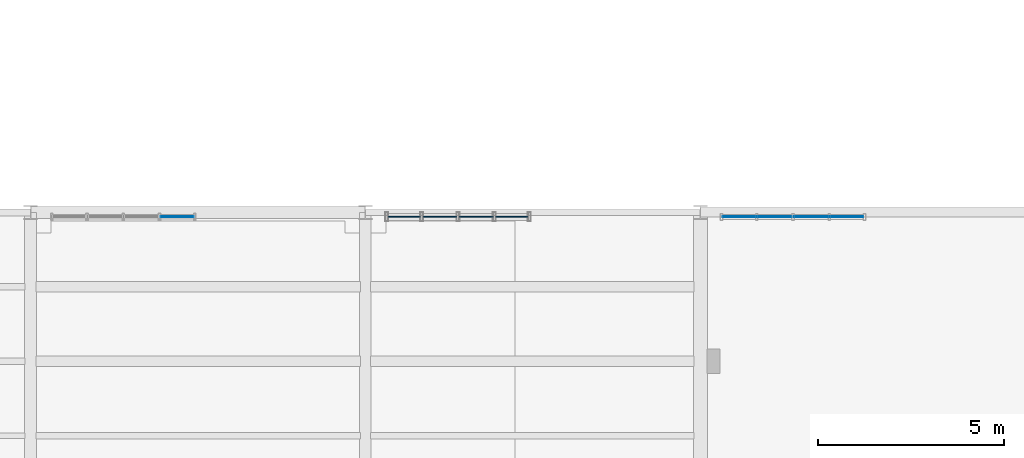
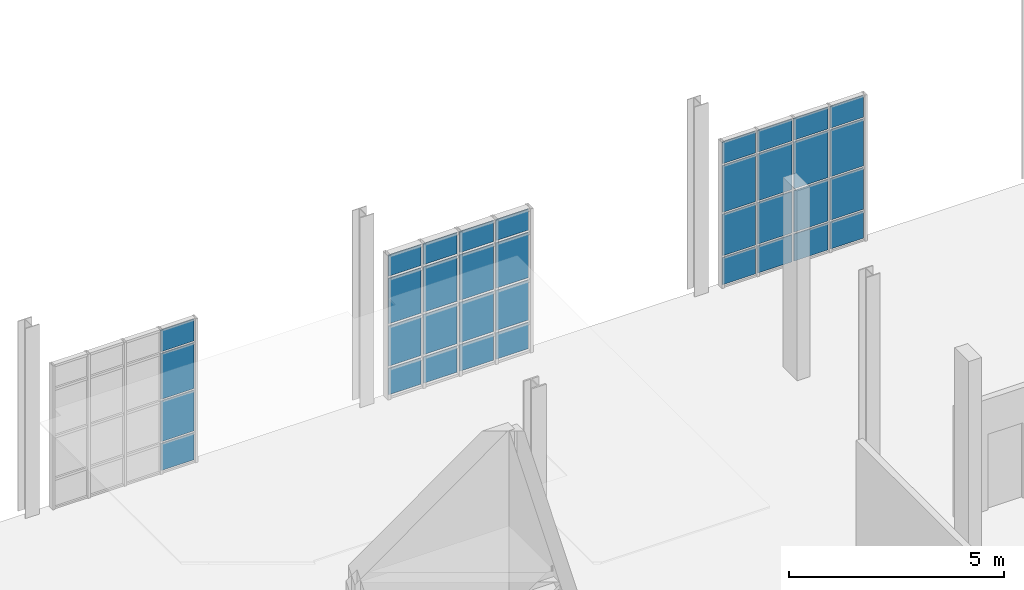
# One storey, part 164 of 189: 36 plates, 3 elements without a shape of their own.
"""IFC4 building model written with IfcOpenShell, lengths in metres."""

from ifc_helpers import new_model, si_unit, direction, frame, origin, origin_2d, place, context, subcontext, project, spatial, rectangle, extrude, material, layer, layer_set, type_object, element, aggregate, save


model = new_model("IFC4")

# Units and contexts
model_context = context("Model", 3, precision=1e-05, world=origin(), true_north=direction((0.0, 1.0)))
body_context = subcontext(model_context, "Body", "Model", "MODEL_VIEW")
ifc_project = project(units=[si_unit("LENGTHUNIT", "METRE"), si_unit("AREAUNIT", "SQUARE_METRE"), si_unit("VOLUMEUNIT", "CUBIC_METRE"), si_unit("PLANEANGLEUNIT", "RADIAN"), si_unit("MASSUNIT", "GRAM", prefix="KILO"), si_unit("THERMODYNAMICTEMPERATUREUNIT", "KELVIN"), si_unit("POWERUNIT", "WATT")], contexts=[model_context])

# Site, building, storey
site_placement = place(None, origin())
site = spatial("IfcSite", under=ifc_project, at=site_placement, CompositionType="ELEMENT")
building_placement = place(site_placement, origin())
building = spatial("IfcBuilding", under=site, at=building_placement, Name="Zelmaris Science Centre", CompositionType="ELEMENT")
storey_placement = place(building_placement, origin())
storey = spatial("IfcBuildingStorey", under=building, at=storey_placement, Name="L00", CompositionType="ELEMENT", Elevation=0.0)

# Curtain wall, plates
ifc_material_1 = material(Name="Anodised architectural aluminium 6063-T6", Category="aluminium")
ifc_layer_1 = layer(ifc_material_1, 0.18994140625, Name="Anodised architectural aluminium 6063-T6")
ifc_layer_set_1 = layer_set([ifc_layer_1], Name="Anodised architectural aluminium 6063-T6")
curtain_wall_type_1 = type_object("IfcCurtainWallType", Name="Curtain Wall CW-01", PredefinedType="USERDEFINED", material=ifc_layer_set_1)
curtain_wall_1_placement = place(storey_placement, origin())
curtain_wall_1 = element("IfcCurtainWall", 1, at=curtain_wall_1_placement, inside=storey, type_object=curtain_wall_type_1, Name="L00 Unitised curtain wall 97", ObjectType="GLAZED CURTAIN WALL", PredefinedType="USERDEFINED")
ifc_material_2 = material(Name="Laminated hurricane-rated low-E insulated glazing", Category="glass")
ifc_layer_2 = layer(ifc_material_2, 0.031982421875, Name="Laminated hurricane-rated low-E insulated glazing")
ifc_layer_set_2 = layer_set([ifc_layer_2], Name="Laminated hurricane-rated low-E insulated glazing")
plate_type_1 = type_object("IfcPlateType", Name="Curtain Glazing Panel CWP-1 32mm", PredefinedType="CURTAIN_PANEL", material=ifc_layer_set_2)
plate_1_placement = place(storey_placement, frame((136.04541015625, 55.88330078125, 0.05712890625), z_axis=(0.0, 0.0, 1.0), x_axis=(0.999999983892, -0.000179487181, 0.0)))
plate_1 = element("IfcPlate", 2, at=plate_1_placement, type_object=plate_type_1, Name="CW-01 panel 1.1", PredefinedType="CURTAIN_PANEL", context=body_context, shape_type="SweptSolid", body=[
    extrude(rectangle(XDim=0.866943359375, YDim=0.031982421875, at=origin_2d()), origin(), (0.0, 0.0, 1.0), 0.741943359375),
])
plate_2_placement = place(storey_placement, frame((136.04541015625, 55.88330078125, 0.87109375), z_axis=(0.0, 0.0, 1.0), x_axis=(0.999999983892, -0.000179487181, 0.0)))
plate_2 = element("IfcPlate", 3, at=plate_2_placement, type_object=plate_type_1, Name="CW-01 panel 1.2", PredefinedType="CURTAIN_PANEL", context=body_context, shape_type="SweptSolid", body=[
    extrude(rectangle(XDim=0.866943359375, YDim=0.031982421875, at=origin_2d()), origin(), (0.0, 0.0, 1.0), 1.132568359375),
])
plate_3_placement = place(storey_placement, frame((136.04541015625, 55.88330078125, 2.07568359375), z_axis=(0.0, 0.0, 1.0), x_axis=(0.999999983892, -0.000179487181, 0.0)))
plate_3 = element("IfcPlate", 4, at=plate_3_placement, type_object=plate_type_1, Name="CW-01 panel 1.3", PredefinedType="CURTAIN_PANEL", context=body_context, shape_type="SweptSolid", body=[
    extrude(rectangle(XDim=0.866943359375, YDim=0.031982421875, at=origin_2d()), origin(), (0.0, 0.0, 1.0), 1.282470703125),
])
plate_4_placement = place(storey_placement, frame((136.04541015625, 55.88330078125, 3.43017578125), z_axis=(0.0, 0.0, 1.0), x_axis=(0.999999983892, -0.000179487181, 0.0)))
plate_4 = element("IfcPlate", 5, at=plate_4_placement, type_object=plate_type_1, Name="CW-01 panel 1.4", PredefinedType="CURTAIN_PANEL", context=body_context, shape_type="SweptSolid", body=[
    extrude(rectangle(XDim=0.866943359375, YDim=0.031982421875, at=origin_2d()), origin(), (0.0, 0.0, 1.0), 0.592041015625),
])
plate_5_placement = place(storey_placement, frame((137.00244140625, 55.883056640625, 0.05712890625), z_axis=(0.0, 0.0, 1.0), x_axis=(0.999999983892, -0.000179487181, 0.0)))
plate_5 = element("IfcPlate", 6, at=plate_5_placement, type_object=plate_type_1, Name="CW-01 panel 2.1", PredefinedType="CURTAIN_PANEL", context=body_context, shape_type="SweptSolid", body=[
    extrude(rectangle(XDim=0.903076171875, YDim=0.031982421875, at=origin_2d()), origin(), (0.0, 0.0, 1.0), 0.741943359375),
])
plate_6_placement = place(storey_placement, frame((137.00244140625, 55.883056640625, 0.87109375), z_axis=(0.0, 0.0, 1.0), x_axis=(0.999999983892, -0.000179487181, 0.0)))
plate_6 = element("IfcPlate", 7, at=plate_6_placement, type_object=plate_type_1, Name="CW-01 panel 2.2", PredefinedType="CURTAIN_PANEL", context=body_context, shape_type="SweptSolid", body=[
    extrude(rectangle(XDim=0.903076171875, YDim=0.031982421875, at=origin_2d()), origin(), (0.0, 0.0, 1.0), 1.132568359375),
])
plate_7_placement = place(storey_placement, frame((137.00244140625, 55.883056640625, 2.07568359375), z_axis=(0.0, 0.0, 1.0), x_axis=(0.999999983892, -0.000179487181, 0.0)))
plate_7 = element("IfcPlate", 8, at=plate_7_placement, type_object=plate_type_1, Name="CW-01 panel 2.3", PredefinedType="CURTAIN_PANEL", context=body_context, shape_type="SweptSolid", body=[
    extrude(rectangle(XDim=0.903076171875, YDim=0.031982421875, at=origin_2d()), origin(), (0.0, 0.0, 1.0), 1.282470703125),
])
plate_8_placement = place(storey_placement, frame((137.00244140625, 55.883056640625, 3.43017578125), z_axis=(0.0, 0.0, 1.0), x_axis=(0.999999983892, -0.000179487181, 0.0)))
plate_8 = element("IfcPlate", 9, at=plate_8_placement, type_object=plate_type_1, Name="CW-01 panel 2.4", PredefinedType="CURTAIN_PANEL", context=body_context, shape_type="SweptSolid", body=[
    extrude(rectangle(XDim=0.903076171875, YDim=0.031982421875, at=origin_2d()), origin(), (0.0, 0.0, 1.0), 0.592041015625),
])
plate_9_placement = place(storey_placement, frame((137.9775390625, 55.8828125, 0.05712890625), z_axis=(0.0, 0.0, 1.0), x_axis=(0.999999983892, -0.000179487181, 0.0)))
plate_9 = element("IfcPlate", 10, at=plate_9_placement, type_object=plate_type_1, Name="CW-01 panel 3.1", PredefinedType="CURTAIN_PANEL", context=body_context, shape_type="SweptSolid", body=[
    extrude(rectangle(XDim=0.903076171875, YDim=0.031982421875, at=origin_2d()), origin(), (0.0, 0.0, 1.0), 0.741943359375),
])
plate_10_placement = place(storey_placement, frame((137.9775390625, 55.8828125, 0.87109375), z_axis=(0.0, 0.0, 1.0), x_axis=(0.999999983892, -0.000179487181, 0.0)))
plate_10 = element("IfcPlate", 11, at=plate_10_placement, type_object=plate_type_1, Name="CW-01 panel 3.2", PredefinedType="CURTAIN_PANEL", context=body_context, shape_type="SweptSolid", body=[
    extrude(rectangle(XDim=0.903076171875, YDim=0.031982421875, at=origin_2d()), origin(), (0.0, 0.0, 1.0), 1.132568359375),
])
plate_11_placement = place(storey_placement, frame((137.9775390625, 55.8828125, 2.07568359375), z_axis=(0.0, 0.0, 1.0), x_axis=(0.999999983892, -0.000179487181, 0.0)))
plate_11 = element("IfcPlate", 12, at=plate_11_placement, type_object=plate_type_1, Name="CW-01 panel 3.3", PredefinedType="CURTAIN_PANEL", context=body_context, shape_type="SweptSolid", body=[
    extrude(rectangle(XDim=0.903076171875, YDim=0.031982421875, at=origin_2d()), origin(), (0.0, 0.0, 1.0), 1.282470703125),
])
plate_12_placement = place(storey_placement, frame((137.9775390625, 55.8828125, 3.43017578125), z_axis=(0.0, 0.0, 1.0), x_axis=(0.999999983892, -0.000179487181, 0.0)))
plate_12 = element("IfcPlate", 13, at=plate_12_placement, type_object=plate_type_1, Name="CW-01 panel 3.4", PredefinedType="CURTAIN_PANEL", context=body_context, shape_type="SweptSolid", body=[
    extrude(rectangle(XDim=0.903076171875, YDim=0.031982421875, at=origin_2d()), origin(), (0.0, 0.0, 1.0), 0.592041015625),
])
plate_13_placement = place(storey_placement, frame((138.9345703125, 55.8828125, 0.05712890625), z_axis=(0.0, 0.0, 1.0), x_axis=(0.999999983892, -0.000179487181, 0.0)))
plate_13 = element("IfcPlate", 14, at=plate_13_placement, type_object=plate_type_1, Name="CW-01 panel 4.1", PredefinedType="CURTAIN_PANEL", context=body_context, shape_type="SweptSolid", body=[
    extrude(rectangle(XDim=0.866943359375, YDim=0.031982421875, at=origin_2d()), origin(), (0.0, 0.0, 1.0), 0.741943359375),
])
plate_14_placement = place(storey_placement, frame((138.9345703125, 55.8828125, 0.87109375), z_axis=(0.0, 0.0, 1.0), x_axis=(0.999999983892, -0.000179487181, 0.0)))
plate_14 = element("IfcPlate", 15, at=plate_14_placement, type_object=plate_type_1, Name="CW-01 panel 4.2", PredefinedType="CURTAIN_PANEL", context=body_context, shape_type="SweptSolid", body=[
    extrude(rectangle(XDim=0.866943359375, YDim=0.031982421875, at=origin_2d()), origin(), (0.0, 0.0, 1.0), 1.132568359375),
])
plate_15_placement = place(storey_placement, frame((138.9345703125, 55.8828125, 2.07568359375), z_axis=(0.0, 0.0, 1.0), x_axis=(0.999999983892, -0.000179487181, 0.0)))
plate_15 = element("IfcPlate", 16, at=plate_15_placement, type_object=plate_type_1, Name="CW-01 panel 4.3", PredefinedType="CURTAIN_PANEL", context=body_context, shape_type="SweptSolid", body=[
    extrude(rectangle(XDim=0.866943359375, YDim=0.031982421875, at=origin_2d()), origin(), (0.0, 0.0, 1.0), 1.282470703125),
])
plate_16_placement = place(storey_placement, frame((138.9345703125, 55.8828125, 3.43017578125), z_axis=(0.0, 0.0, 1.0), x_axis=(0.999999983892, -0.000179487181, 0.0)))
plate_16 = element("IfcPlate", 17, at=plate_16_placement, type_object=plate_type_1, Name="CW-01 panel 4.4", PredefinedType="CURTAIN_PANEL", context=body_context, shape_type="SweptSolid", body=[
    extrude(rectangle(XDim=0.866943359375, YDim=0.031982421875, at=origin_2d()), origin(), (0.0, 0.0, 1.0), 0.592041015625),
])
aggregate(curtain_wall_1, [plate_1, plate_2, plate_3, plate_4, plate_5, plate_6, plate_7, plate_8, plate_9, plate_10, plate_11, plate_12, plate_13, plate_14, plate_15, plate_16])

ifc_layer_3 = layer(ifc_material_1, 0.2099609375, Name="Anodised architectural aluminium 6063-T6")
ifc_layer_set_3 = layer_set([ifc_layer_3], Name="Anodised architectural aluminium 6063-T6")
curtain_wall_type_2 = type_object("IfcCurtainWallType", Name="Curtain Wall CW-03", PredefinedType="USERDEFINED", material=ifc_layer_set_3)
curtain_wall_2_placement = place(storey_placement, origin())
curtain_wall_2 = element("IfcCurtainWall", 18, at=curtain_wall_2_placement, inside=storey, type_object=curtain_wall_type_2, Name="L00 Unitised curtain wall 95", ObjectType="GLAZED CURTAIN WALL", PredefinedType="USERDEFINED")
ifc_layer_4 = layer(ifc_material_2, 0.02587890625, Name="Laminated hurricane-rated low-E insulated glazing")
ifc_layer_set_4 = layer_set([ifc_layer_4], Name="Laminated hurricane-rated low-E insulated glazing")
plate_type_2 = type_object("IfcPlateType", Name="Curtain Glazing Panel CWP-3 26mm", PredefinedType="CURTAIN_PANEL", material=ifc_layer_set_4)
plate_17_placement = place(storey_placement, frame((129.938232421875, 55.884521484375, 0.0419921875), z_axis=(0.0, 0.0, 1.0), x_axis=(0.999999978961, -0.000205128196, 0.0)))
plate_17 = element("IfcPlate", 19, at=plate_17_placement, type_object=plate_type_2, Name="CW-03 panel 4.1", PredefinedType="CURTAIN_PANEL", context=body_context, shape_type="SweptSolid", body=[
    extrude(rectangle(XDim=0.889404296875, YDim=0.02587890625, at=origin_2d()), origin(), (0.0, 0.0, 1.0), 0.764404296875),
])
plate_18_placement = place(storey_placement, frame((129.938232421875, 55.884521484375, 0.863525390625), z_axis=(0.0, 0.0, 1.0), x_axis=(0.999999978961, -0.000205128196, 0.0)))
plate_18 = element("IfcPlate", 20, at=plate_18_placement, type_object=plate_type_2, Name="CW-03 panel 4.2", PredefinedType="CURTAIN_PANEL", context=body_context, shape_type="SweptSolid", body=[
    extrude(rectangle(XDim=0.889404296875, YDim=0.02587890625, at=origin_2d()), origin(), (0.0, 0.0, 1.0), 1.1474609375),
])
plate_19_placement = place(storey_placement, frame((129.938232421875, 55.884521484375, 2.06787109375), z_axis=(0.0, 0.0, 1.0), x_axis=(0.999999978961, -0.000205128196, 0.0)))
plate_19 = element("IfcPlate", 21, at=plate_19_placement, type_object=plate_type_2, Name="CW-03 panel 4.3", PredefinedType="CURTAIN_PANEL", context=body_context, shape_type="SweptSolid", body=[
    extrude(rectangle(XDim=0.889404296875, YDim=0.02587890625, at=origin_2d()), origin(), (0.0, 0.0, 1.0), 1.297607421875),
])
plate_20_placement = place(storey_placement, frame((129.938232421875, 55.884521484375, 3.42236328125), z_axis=(0.0, 0.0, 1.0), x_axis=(0.999999978961, -0.000205128196, 0.0)))
plate_20 = element("IfcPlate", 22, at=plate_20_placement, type_object=plate_type_2, Name="CW-03 panel 4.4", PredefinedType="CURTAIN_PANEL", context=body_context, shape_type="SweptSolid", body=[
    extrude(rectangle(XDim=0.889404296875, YDim=0.02587890625, at=origin_2d()), origin(), (0.0, 0.0, 1.0), 0.614501953125),
])
aggregate(curtain_wall_2, [plate_17, plate_18, plate_19, plate_20])

curtain_wall_3_placement = place(storey_placement, origin())
curtain_wall_3 = element("IfcCurtainWall", 23, at=curtain_wall_3_placement, inside=storey, type_object=curtain_wall_type_2, Name="L00 Unitised curtain wall 99", ObjectType="GLAZED CURTAIN WALL", PredefinedType="USERDEFINED")
plate_21_placement = place(storey_placement, frame((145.041748046875, 55.881591796875, 0.0419921875), z_axis=(0.0, 0.0, 1.0), x_axis=(0.999999978961, -0.000205128196, 0.0)))
plate_21 = element("IfcPlate", 24, at=plate_21_placement, type_object=plate_type_2, Name="CW-03 panel 1.1", PredefinedType="CURTAIN_PANEL", context=body_context, shape_type="SweptSolid", body=[
    extrude(rectangle(XDim=0.889404296875, YDim=0.02587890625, at=origin_2d()), origin(), (0.0, 0.0, 1.0), 0.764404296875),
])
plate_22_placement = place(storey_placement, frame((145.041748046875, 55.881591796875, 0.86328125), z_axis=(0.0, 0.0, 1.0), x_axis=(0.999999978961, -0.000205128196, 0.0)))
plate_22 = element("IfcPlate", 25, at=plate_22_placement, type_object=plate_type_2, Name="CW-03 panel 1.2", PredefinedType="CURTAIN_PANEL", context=body_context, shape_type="SweptSolid", body=[
    extrude(rectangle(XDim=0.889404296875, YDim=0.02587890625, at=origin_2d()), origin(), (0.0, 0.0, 1.0), 1.177001953125),
])
plate_23_placement = place(storey_placement, frame((145.041748046875, 55.881591796875, 2.09765625), z_axis=(0.0, 0.0, 1.0), x_axis=(0.999999978961, -0.000205128196, 0.0)))
plate_23 = element("IfcPlate", 26, at=plate_23_placement, type_object=plate_type_2, Name="CW-03 panel 1.3", PredefinedType="CURTAIN_PANEL", context=body_context, shape_type="SweptSolid", body=[
    extrude(rectangle(XDim=0.889404296875, YDim=0.02587890625, at=origin_2d()), origin(), (0.0, 0.0, 1.0), 1.326904296875),
])
plate_24_placement = place(storey_placement, frame((145.041748046875, 55.881591796875, 3.4814453125), z_axis=(0.0, 0.0, 1.0), x_axis=(0.999999978961, -0.000205128196, 0.0)))
plate_24 = element("IfcPlate", 27, at=plate_24_placement, type_object=plate_type_2, Name="CW-03 panel 1.4", PredefinedType="CURTAIN_PANEL", context=body_context, shape_type="SweptSolid", body=[
    extrude(rectangle(XDim=0.889404296875, YDim=0.02587890625, at=origin_2d()), origin(), (0.0, 0.0, 1.0), 0.614501953125),
])
plate_25_placement = place(storey_placement, frame((146.00244140625, 55.88134765625, 0.0419921875), z_axis=(0.0, 0.0, 1.0), x_axis=(0.999999978961, -0.000205128196, 0.0)))
plate_25 = element("IfcPlate", 28, at=plate_25_placement, type_object=plate_type_2, Name="CW-03 panel 2.1", PredefinedType="CURTAIN_PANEL", context=body_context, shape_type="SweptSolid", body=[
    extrude(rectangle(XDim=0.91796875, YDim=0.02587890625, at=origin_2d()), origin(), (0.0, 0.0, 1.0), 0.764404296875),
])
plate_26_placement = place(storey_placement, frame((146.00244140625, 55.88134765625, 0.86328125), z_axis=(0.0, 0.0, 1.0), x_axis=(0.999999978961, -0.000205128196, 0.0)))
plate_26 = element("IfcPlate", 29, at=plate_26_placement, type_object=plate_type_2, Name="CW-03 panel 2.2", PredefinedType="CURTAIN_PANEL", context=body_context, shape_type="SweptSolid", body=[
    extrude(rectangle(XDim=0.91796875, YDim=0.02587890625, at=origin_2d()), origin(), (0.0, 0.0, 1.0), 1.177001953125),
])
plate_27_placement = place(storey_placement, frame((146.00244140625, 55.88134765625, 2.09765625), z_axis=(0.0, 0.0, 1.0), x_axis=(0.999999978961, -0.000205128196, 0.0)))
plate_27 = element("IfcPlate", 30, at=plate_27_placement, type_object=plate_type_2, Name="CW-03 panel 2.3", PredefinedType="CURTAIN_PANEL", context=body_context, shape_type="SweptSolid", body=[
    extrude(rectangle(XDim=0.91796875, YDim=0.02587890625, at=origin_2d()), origin(), (0.0, 0.0, 1.0), 1.326904296875),
])
plate_28_placement = place(storey_placement, frame((146.00244140625, 55.88134765625, 3.4814453125), z_axis=(0.0, 0.0, 1.0), x_axis=(0.999999978961, -0.000205128196, 0.0)))
plate_28 = element("IfcPlate", 31, at=plate_28_placement, type_object=plate_type_2, Name="CW-03 panel 2.4", PredefinedType="CURTAIN_PANEL", context=body_context, shape_type="SweptSolid", body=[
    extrude(rectangle(XDim=0.91796875, YDim=0.02587890625, at=origin_2d()), origin(), (0.0, 0.0, 1.0), 0.614501953125),
])
plate_29_placement = place(storey_placement, frame((146.9775390625, 55.881103515625, 0.0419921875), z_axis=(0.0, 0.0, 1.0), x_axis=(0.999999978961, -0.000205128196, 0.0)))
plate_29 = element("IfcPlate", 32, at=plate_29_placement, type_object=plate_type_2, Name="CW-03 panel 3.1", PredefinedType="CURTAIN_PANEL", context=body_context, shape_type="SweptSolid", body=[
    extrude(rectangle(XDim=0.91796875, YDim=0.02587890625, at=origin_2d()), origin(), (0.0, 0.0, 1.0), 0.764404296875),
])
plate_30_placement = place(storey_placement, frame((146.9775390625, 55.881103515625, 0.86328125), z_axis=(0.0, 0.0, 1.0), x_axis=(0.999999978961, -0.000205128196, 0.0)))
plate_30 = element("IfcPlate", 33, at=plate_30_placement, type_object=plate_type_2, Name="CW-03 panel 3.2", PredefinedType="CURTAIN_PANEL", context=body_context, shape_type="SweptSolid", body=[
    extrude(rectangle(XDim=0.91796875, YDim=0.02587890625, at=origin_2d()), origin(), (0.0, 0.0, 1.0), 1.177001953125),
])
plate_31_placement = place(storey_placement, frame((146.9775390625, 55.881103515625, 2.09765625), z_axis=(0.0, 0.0, 1.0), x_axis=(0.999999978961, -0.000205128196, 0.0)))
plate_31 = element("IfcPlate", 34, at=plate_31_placement, type_object=plate_type_2, Name="CW-03 panel 3.3", PredefinedType="CURTAIN_PANEL", context=body_context, shape_type="SweptSolid", body=[
    extrude(rectangle(XDim=0.91796875, YDim=0.02587890625, at=origin_2d()), origin(), (0.0, 0.0, 1.0), 1.326904296875),
])
plate_32_placement = place(storey_placement, frame((146.9775390625, 55.881103515625, 3.4814453125), z_axis=(0.0, 0.0, 1.0), x_axis=(0.999999978961, -0.000205128196, 0.0)))
plate_32 = element("IfcPlate", 35, at=plate_32_placement, type_object=plate_type_2, Name="CW-03 panel 3.4", PredefinedType="CURTAIN_PANEL", context=body_context, shape_type="SweptSolid", body=[
    extrude(rectangle(XDim=0.91796875, YDim=0.02587890625, at=origin_2d()), origin(), (0.0, 0.0, 1.0), 0.614501953125),
])
plate_33_placement = place(storey_placement, frame((147.938232421875, 55.880859375, 0.0419921875), z_axis=(0.0, 0.0, 1.0), x_axis=(0.999999978961, -0.000205128196, 0.0)))
plate_33 = element("IfcPlate", 36, at=plate_33_placement, type_object=plate_type_2, Name="CW-03 panel 4.1", PredefinedType="CURTAIN_PANEL", context=body_context, shape_type="SweptSolid", body=[
    extrude(rectangle(XDim=0.889404296875, YDim=0.02587890625, at=origin_2d()), origin(), (0.0, 0.0, 1.0), 0.764404296875),
])
plate_34_placement = place(storey_placement, frame((147.938232421875, 55.880859375, 0.86328125), z_axis=(0.0, 0.0, 1.0), x_axis=(0.999999978961, -0.000205128196, 0.0)))
plate_34 = element("IfcPlate", 37, at=plate_34_placement, type_object=plate_type_2, Name="CW-03 panel 4.2", PredefinedType="CURTAIN_PANEL", context=body_context, shape_type="SweptSolid", body=[
    extrude(rectangle(XDim=0.889404296875, YDim=0.02587890625, at=origin_2d()), origin(), (0.0, 0.0, 1.0), 1.177001953125),
])
plate_35_placement = place(storey_placement, frame((147.938232421875, 55.880859375, 2.09765625), z_axis=(0.0, 0.0, 1.0), x_axis=(0.999999978961, -0.000205128196, 0.0)))
plate_35 = element("IfcPlate", 38, at=plate_35_placement, type_object=plate_type_2, Name="CW-03 panel 4.3", PredefinedType="CURTAIN_PANEL", context=body_context, shape_type="SweptSolid", body=[
    extrude(rectangle(XDim=0.889404296875, YDim=0.02587890625, at=origin_2d()), origin(), (0.0, 0.0, 1.0), 1.326904296875),
])
plate_36_placement = place(storey_placement, frame((147.938232421875, 55.880859375, 3.4814453125), z_axis=(0.0, 0.0, 1.0), x_axis=(0.999999978961, -0.000205128196, 0.0)))
plate_36 = element("IfcPlate", 39, at=plate_36_placement, type_object=plate_type_2, Name="CW-03 panel 4.4", PredefinedType="CURTAIN_PANEL", context=body_context, shape_type="SweptSolid", body=[
    extrude(rectangle(XDim=0.889404296875, YDim=0.02587890625, at=origin_2d()), origin(), (0.0, 0.0, 1.0), 0.614501953125),
])
aggregate(curtain_wall_3, [plate_21, plate_22, plate_23, plate_24, plate_25, plate_26, plate_27, plate_28, plate_29, plate_30, plate_31, plate_32, plate_33, plate_34, plate_35, plate_36])

save(model, "model.ifc")
